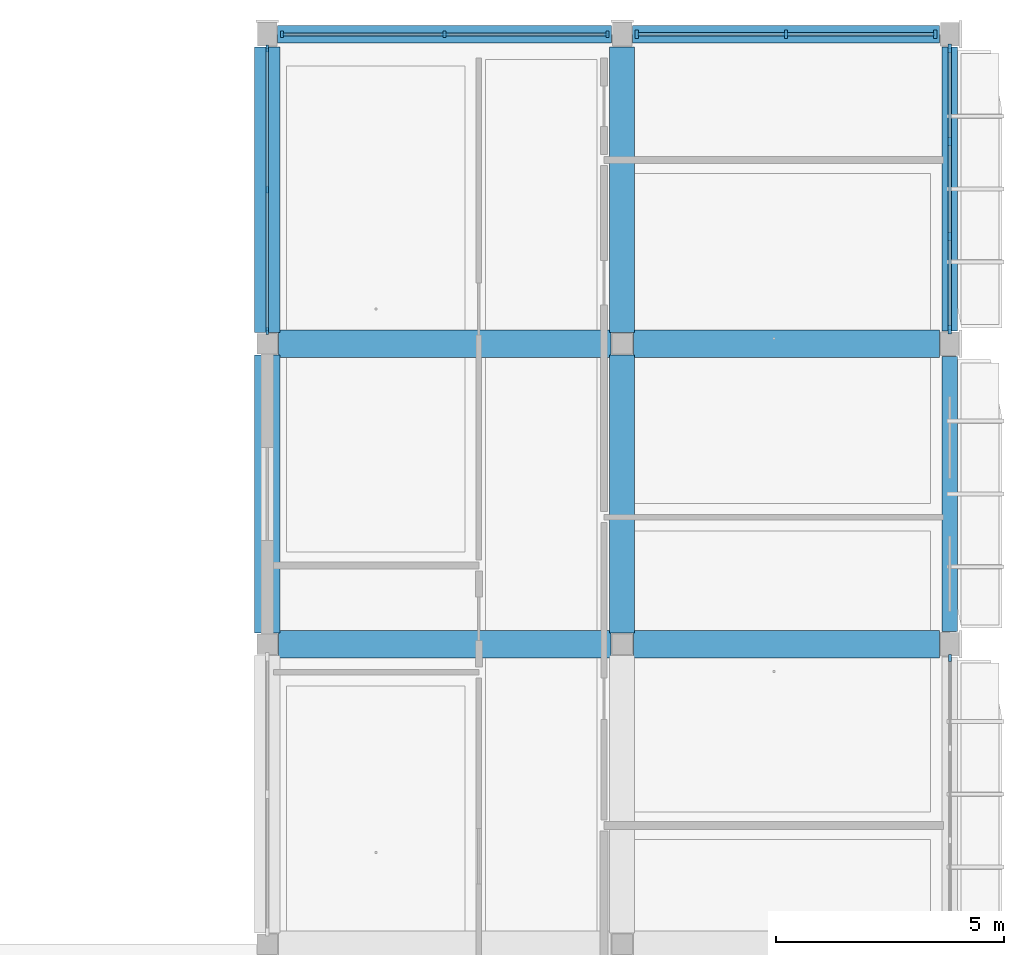
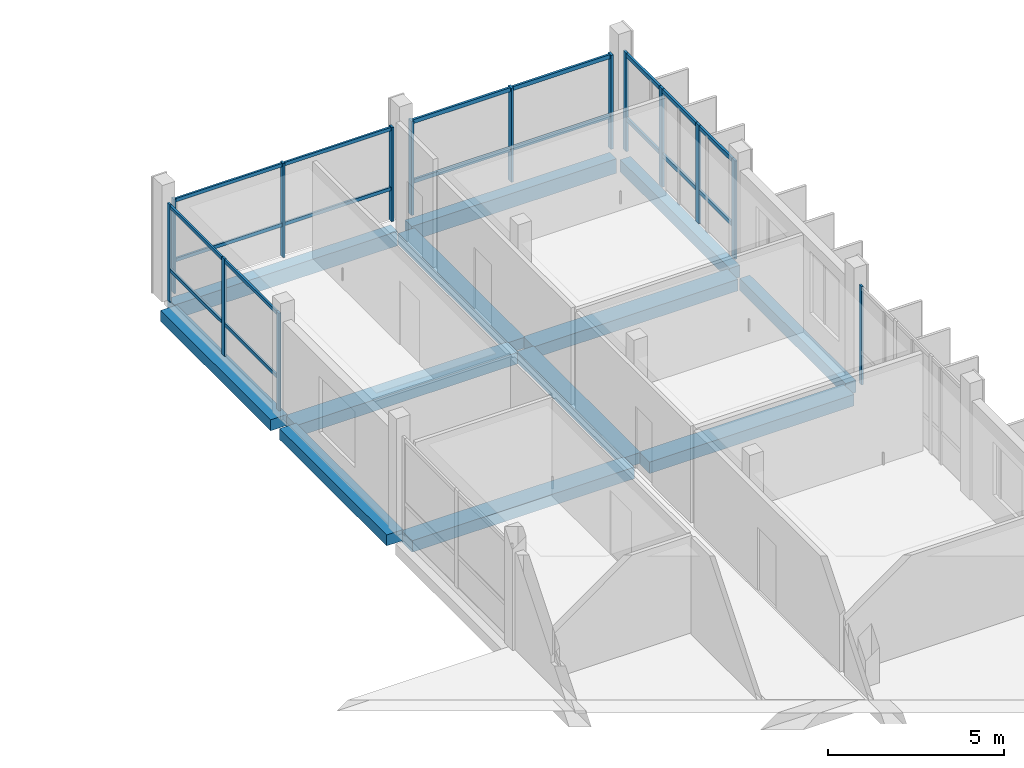
# One storey, part 38 of 86: 22 members, 12 beams, 5 elements without a shape of their own.
"""IFC4 building model written with IfcOpenShell, lengths in metres."""

from ifc_helpers import new_model, si_unit, derived_unit, direction, frame, origin, origin_2d, place, context, subcontext, project, spatial, rectangle, extrude, material, material_profile, profile_set, type_object, element, aggregate, save


model = new_model("IFC4")

# Units and contexts
model_context = context("Model", 3, precision=1e-05, world=origin(), true_north=direction((0.0, 1.0)))
body_context = subcontext(model_context, "Body", "Model", "MODEL_VIEW")
ifc_project = project(units=[si_unit("LENGTHUNIT", "METRE"), si_unit("AREAUNIT", "SQUARE_METRE"), si_unit("VOLUMEUNIT", "CUBIC_METRE"), si_unit("PLANEANGLEUNIT", "RADIAN"), si_unit("MASSUNIT", "GRAM", prefix="KILO"), derived_unit("THERMALTRANSMITTANCEUNIT", [(si_unit("POWERUNIT", "WATT"), 1), (si_unit("LENGTHUNIT", "METRE"), -2), (si_unit("THERMODYNAMICTEMPERATUREUNIT", "KELVIN"), -1)])], contexts=[model_context])

# Site, building, storey
site_placement = place(None, origin())
site = spatial("IfcSite", under=ifc_project, at=site_placement, CompositionType="ELEMENT")
building_placement = place(site_placement, origin())
building = spatial("IfcBuilding", under=site, at=building_placement, Name="Braskholm Square Health Centre", CompositionType="ELEMENT")
storey_placement = place(building_placement, frame((0.0, 0.0, 13.5)))
storey = spatial("IfcBuildingStorey", under=building, at=storey_placement, Name="L04", CompositionType="ELEMENT", Elevation=13.5)

# Curtain wall, member
ifc_material_1 = material(Name="Low-E triple insulating glass (VLT 0.64)", Category="glass")
curtain_wall_type = type_object("IfcCurtainWallType", Name="UnitisedCurtainWall6200x3650", PredefinedType="NOTDEFINED", material=ifc_material_1)
curtain_wall_1_placement = place(storey_placement, origin())
curtain_wall_1 = element("IfcCurtainWall", 1, at=curtain_wall_1_placement, inside=storey, type_object=curtain_wall_type, Name="East Outer unitised curtain wall CW-L04-0074", PredefinedType="NOTDEFINED")
ifc_material_2 = material(Name="Architectural bronze anodised aluminium", Category="aluminium")
ifc_material_profile_1 = material_profile(ifc_material_2, rectangle(XDim=0.06494140625, YDim=0.14990234375, at=origin_2d()), Name="ALU-65X150")
ifc_profile_set_1 = profile_set([ifc_material_profile_1], Name="Architectural bronze anodised aluminium")
member_type_1 = type_object("IfcMemberType", Name="CurtainWallMullion65x150", PredefinedType="MULLION", material=ifc_profile_set_1)
member_1_placement = place(storey_placement, frame((163.800048828125, 100.093505859375, 0.0), z_axis=(0.0, 0.0, 1.0), x_axis=(1.0, 0.0, 0.0)))
member_1 = element("IfcMember", 2, at=member_1_placement, type_object=member_type_1, Name="CW-L04-0074 vertical mullion 4", PredefinedType="MULLION", context=body_context, shape_type="SweptSolid", body=[
    extrude(rectangle(XDim=0.06494140625, YDim=0.14990234375, at=origin_2d()), origin(), (0.0, 0.0, 1.0), 3.419921875),
])
aggregate(curtain_wall_1, [member_1])

# Curtain wall, members
curtain_wall_2_placement = place(storey_placement, origin())
curtain_wall_2 = element("IfcCurtainWall", 3, at=curtain_wall_2_placement, inside=storey, type_object=curtain_wall_type, Name="East Valley unitised curtain wall CW-L04-0136", PredefinedType="NOTDEFINED")
member_2_placement = place(storey_placement, frame((148.800048828125, 113.4921875, 0.0), z_axis=(0.0, 0.0, 1.0), x_axis=(1.0, 0.0, 0.0)))
member_2 = element("IfcMember", 4, at=member_2_placement, type_object=member_type_1, Name="CW-L04-0136 vertical mullion 1", PredefinedType="MULLION", context=body_context, shape_type="SweptSolid", body=[
    extrude(rectangle(XDim=0.06494140625, YDim=0.14990234375, at=origin_2d()), origin(), (0.0, 0.0, 1.0), 3.389892578125),
])
member_3_placement = place(storey_placement, frame((148.800048828125, 110.385009765625, 0.0), z_axis=(0.0, 0.0, 1.0), x_axis=(1.0, 0.0, 0.0)))
member_3 = element("IfcMember", 5, at=member_3_placement, type_object=member_type_1, Name="CW-L04-0136 vertical mullion 2", PredefinedType="MULLION", context=body_context, shape_type="SweptSolid", body=[
    extrude(rectangle(XDim=0.06494140625, YDim=0.14990234375, at=origin_2d()), origin(), (0.0, 0.0, 1.0), 3.389892578125),
])
member_4_placement = place(storey_placement, frame((148.800048828125, 107.277587890625, 0.0), z_axis=(0.0, 0.0, 1.0), x_axis=(1.0, 0.0, 0.0)))
member_4 = element("IfcMember", 6, at=member_4_placement, type_object=member_type_1, Name="CW-L04-0136 vertical mullion 3", PredefinedType="MULLION", context=body_context, shape_type="SweptSolid", body=[
    extrude(rectangle(XDim=0.06494140625, YDim=0.14990234375, at=origin_2d()), origin(), (0.0, 0.0, 1.0), 3.389892578125),
])

curtain_wall_3_placement = place(storey_placement, origin())
curtain_wall_3 = element("IfcCurtainWall", 7, at=curtain_wall_3_placement, inside=storey, type_object=curtain_wall_type, Name="Wing End unitised curtain wall CW-L04-0168", PredefinedType="NOTDEFINED")
member_5_placement = place(storey_placement, frame((156.276611328125, 113.800048828125, 0.0), z_axis=(0.0, 0.0, 1.0), x_axis=(1.0, 0.0, 0.0)))
member_5 = element("IfcMember", 8, at=member_5_placement, type_object=member_type_1, Name="CW-L04-0168 vertical mullion 1", PredefinedType="MULLION", context=body_context, shape_type="SweptSolid", body=[
    extrude(rectangle(XDim=0.06494140625, YDim=0.14990234375, at=origin_2d()), origin(), (0.0, 0.0, 1.0), 3.27001953125),
])
member_6_placement = place(storey_placement, frame((152.699951171875, 113.800048828125, 0.0), z_axis=(0.0, 0.0, 1.0), x_axis=(1.0, 0.0, 0.0)))
member_6 = element("IfcMember", 9, at=member_6_placement, type_object=member_type_1, Name="CW-L04-0168 vertical mullion 2", PredefinedType="MULLION", context=body_context, shape_type="SweptSolid", body=[
    extrude(rectangle(XDim=0.06494140625, YDim=0.14990234375, at=origin_2d()), origin(), (0.0, 0.0, 1.0), 3.27001953125),
])
member_7_placement = place(storey_placement, frame((149.123291015625, 113.800048828125, 0.0), z_axis=(0.0, 0.0, 1.0), x_axis=(1.0, 0.0, 0.0)))
member_7 = element("IfcMember", 10, at=member_7_placement, type_object=member_type_1, Name="CW-L04-0168 vertical mullion 3", PredefinedType="MULLION", context=body_context, shape_type="SweptSolid", body=[
    extrude(rectangle(XDim=0.06494140625, YDim=0.14990234375, at=origin_2d()), origin(), (0.0, 0.0, 1.0), 3.27001953125),
])

curtain_wall_4_placement = place(storey_placement, origin())
curtain_wall_4 = element("IfcCurtainWall", 11, at=curtain_wall_4_placement, inside=storey, type_object=curtain_wall_type, Name="East Outer unitised curtain wall CW-L04-0075", PredefinedType="NOTDEFINED")
ifc_material_profile_2 = material_profile(ifc_material_2, rectangle(XDim=0.074951171875, YDim=0.179931640625, at=origin_2d()), Name="ALU-75X180")
ifc_profile_set_2 = profile_set([ifc_material_profile_2], Name="Architectural bronze anodised aluminium")
member_type_2 = type_object("IfcMemberType", Name="CurtainWallMullion75x180", PredefinedType="MULLION", material=ifc_profile_set_2)
member_8_placement = place(storey_placement, frame((163.800048828125, 107.3076171875, 0.0), z_axis=(0.0, 0.0, 1.0), x_axis=(1.0, 0.0, 0.0)))
member_8 = element("IfcMember", 12, at=member_8_placement, type_object=member_type_2, Name="CW-L04-0075 vertical mullion 1", PredefinedType="MULLION", context=body_context, shape_type="SweptSolid", body=[
    extrude(rectangle(XDim=0.074951171875, YDim=0.179931640625, at=origin_2d()), origin(), (0.0, 0.0, 1.0), 3.419921875),
])
member_9_placement = place(storey_placement, frame((163.800048828125, 109.356689453125, 0.0), z_axis=(0.0, 0.0, 1.0), x_axis=(1.0, 0.0, 0.0)))
member_9 = element("IfcMember", 13, at=member_9_placement, type_object=member_type_2, Name="CW-L04-0075 vertical mullion 2", PredefinedType="MULLION", context=body_context, shape_type="SweptSolid", body=[
    extrude(rectangle(XDim=0.074951171875, YDim=0.179931640625, at=origin_2d()), origin(), (0.0, 0.0, 1.0), 3.419921875),
])
member_10_placement = place(storey_placement, frame((163.800048828125, 111.443359375, 0.0), z_axis=(0.0, 0.0, 1.0), x_axis=(1.0, 0.0, 0.0)))
member_10 = element("IfcMember", 14, at=member_10_placement, type_object=member_type_2, Name="CW-L04-0075 vertical mullion 3", PredefinedType="MULLION", context=body_context, shape_type="SweptSolid", body=[
    extrude(rectangle(XDim=0.074951171875, YDim=0.179931640625, at=origin_2d()), origin(), (0.0, 0.0, 1.0), 3.419921875),
])
member_11_placement = place(storey_placement, frame((163.800048828125, 113.492431640625, 0.0), z_axis=(0.0, 0.0, 1.0), x_axis=(1.0, 0.0, 0.0)))
member_11 = element("IfcMember", 15, at=member_11_placement, type_object=member_type_2, Name="CW-L04-0075 vertical mullion 4", PredefinedType="MULLION", context=body_context, shape_type="SweptSolid", body=[
    extrude(rectangle(XDim=0.074951171875, YDim=0.179931640625, at=origin_2d()), origin(), (0.0, 0.0, 1.0), 3.419921875),
])

curtain_wall_5_placement = place(storey_placement, origin())
curtain_wall_5 = element("IfcCurtainWall", 16, at=curtain_wall_5_placement, inside=storey, type_object=curtain_wall_type, Name="Wing End unitised curtain wall CW-L04-0167", PredefinedType="NOTDEFINED")
member_12_placement = place(storey_placement, frame((163.480224609375, 113.800048828125, 0.0), z_axis=(0.0, 0.0, 1.0), x_axis=(1.0, 0.0, 0.0)))
member_12 = element("IfcMember", 17, at=member_12_placement, type_object=member_type_2, Name="CW-L04-0167 vertical mullion 1", PredefinedType="MULLION", context=body_context, shape_type="SweptSolid", body=[
    extrude(rectangle(XDim=0.074951171875, YDim=0.179931640625, at=origin_2d()), origin(), (0.0, 0.0, 1.0), 3.27001953125),
])
member_13_placement = place(storey_placement, frame((160.199951171875, 113.800048828125, 0.0), z_axis=(0.0, 0.0, 1.0), x_axis=(1.0, 0.0, 0.0)))
member_13 = element("IfcMember", 18, at=member_13_placement, type_object=member_type_2, Name="CW-L04-0167 vertical mullion 2", PredefinedType="MULLION", context=body_context, shape_type="SweptSolid", body=[
    extrude(rectangle(XDim=0.074951171875, YDim=0.179931640625, at=origin_2d()), origin(), (0.0, 0.0, 1.0), 3.27001953125),
])
member_14_placement = place(storey_placement, frame((156.919921875, 113.800048828125, 0.0), z_axis=(0.0, 0.0, 1.0), x_axis=(1.0, 0.0, 0.0)))
member_14 = element("IfcMember", 19, at=member_14_placement, type_object=member_type_2, Name="CW-L04-0167 vertical mullion 3", PredefinedType="MULLION", context=body_context, shape_type="SweptSolid", body=[
    extrude(rectangle(XDim=0.074951171875, YDim=0.179931640625, at=origin_2d()), origin(), (0.0, 0.0, 1.0), 3.27001953125),
])

# Member
ifc_material_profile_3 = material_profile(ifc_material_2, rectangle(XDim=0.06494140625, YDim=0.1201171875, at=origin_2d()), Name="ALU-65X120")
ifc_profile_set_3 = profile_set([ifc_material_profile_3], Name="Architectural bronze anodised aluminium")
member_type_3 = type_object("IfcMemberType", Name="CurtainWallTransom65x120", PredefinedType="USERDEFINED", material=ifc_profile_set_3)
member_15_placement = place(storey_placement, frame((148.800048828125, 113.485107421875, 1.1201171875), z_axis=(0.0, -1.0, 0.0), x_axis=(1.0, 0.0, 0.0)))
member_15 = element("IfcMember", 20, at=member_15_placement, type_object=member_type_3, Name="CW-L04-0136 horizontal transom 1", ObjectType="TRANSOM", PredefinedType="USERDEFINED", context=body_context, shape_type="SweptSolid", body=[
    extrude(rectangle(XDim=0.06494140625, YDim=0.1201171875, at=origin_2d()), origin(), (0.0, 0.0, 1.0), 6.2001953125),
])

member_16_placement = place(storey_placement, frame((148.800048828125, 113.485107421875, 3.320068359375), z_axis=(0.0, -1.0, 0.0), x_axis=(1.0, 0.0, 0.0)))
member_16 = element("IfcMember", 21, at=member_16_placement, type_object=member_type_3, Name="CW-L04-0136 horizontal transom 2", ObjectType="TRANSOM", PredefinedType="USERDEFINED", context=body_context, shape_type="SweptSolid", body=[
    extrude(rectangle(XDim=0.06494140625, YDim=0.1201171875, at=origin_2d()), origin(), (0.0, 0.0, 1.0), 6.2001953125),
])

aggregate(curtain_wall_2, [member_2, member_3, member_4, member_15, member_16])

member_17_placement = place(storey_placement, frame((156.27490234375, 113.800048828125, 1.1201171875), z_axis=(-1.0, 0.0, 0.0), x_axis=(0.0, -1.0, 0.0)))
member_17 = element("IfcMember", 22, at=member_17_placement, type_object=member_type_3, Name="CW-L04-0168 horizontal transom 1", ObjectType="TRANSOM", PredefinedType="USERDEFINED", context=body_context, shape_type="SweptSolid", body=[
    extrude(rectangle(XDim=0.06494140625, YDim=0.1201171875, at=origin_2d()), origin(), (0.0, 0.0, 1.0), 7.14990234375),
])

member_18_placement = place(storey_placement, frame((156.27490234375, 113.800048828125, 3.199951171875), z_axis=(-1.0, 0.0, 0.0), x_axis=(0.0, -1.0, 0.0)))
member_18 = element("IfcMember", 23, at=member_18_placement, type_object=member_type_3, Name="CW-L04-0168 horizontal transom 2", ObjectType="TRANSOM", PredefinedType="USERDEFINED", context=body_context, shape_type="SweptSolid", body=[
    extrude(rectangle(XDim=0.06494140625, YDim=0.1201171875, at=origin_2d()), origin(), (0.0, 0.0, 1.0), 7.14990234375),
])

aggregate(curtain_wall_3, [member_5, member_6, member_7, member_17, member_18])

ifc_material_profile_4 = material_profile(ifc_material_2, rectangle(XDim=0.074951171875, YDim=0.139892578125, at=origin_2d()), Name="ALU-75X140")
ifc_profile_set_4 = profile_set([ifc_material_profile_4], Name="Architectural bronze anodised aluminium")
member_type_4 = type_object("IfcMemberType", Name="CurtainWallTransom75x140", PredefinedType="USERDEFINED", material=ifc_profile_set_4)
member_19_placement = place(storey_placement, frame((163.800048828125, 107.31494140625, 1.1201171875), z_axis=(0.0, 1.0, 0.0), x_axis=(-1.0, 0.0, 0.0)))
member_19 = element("IfcMember", 24, at=member_19_placement, type_object=member_type_4, Name="CW-L04-0075 horizontal transom 1", ObjectType="TRANSOM", PredefinedType="USERDEFINED", context=body_context, shape_type="SweptSolid", body=[
    extrude(rectangle(XDim=0.074951171875, YDim=0.139892578125, at=origin_2d()), origin(), (0.0, 0.0, 1.0), 6.170166015625),
])

member_20_placement = place(storey_placement, frame((163.800048828125, 107.31494140625, 3.35009765625), z_axis=(0.0, 1.0, 0.0), x_axis=(-1.0, 0.0, 0.0)))
member_20 = element("IfcMember", 25, at=member_20_placement, type_object=member_type_4, Name="CW-L04-0075 horizontal transom 2", ObjectType="TRANSOM", PredefinedType="USERDEFINED", context=body_context, shape_type="SweptSolid", body=[
    extrude(rectangle(XDim=0.074951171875, YDim=0.139892578125, at=origin_2d()), origin(), (0.0, 0.0, 1.0), 6.170166015625),
])

aggregate(curtain_wall_4, [member_8, member_9, member_10, member_11, member_19, member_20])

member_21_placement = place(storey_placement, frame((163.47509765625, 113.800048828125, 1.1201171875), z_axis=(-1.0, 0.0, 0.0), x_axis=(0.0, -1.0, 0.0)))
member_21 = element("IfcMember", 26, at=member_21_placement, type_object=member_type_4, Name="CW-L04-0167 horizontal transom 1", ObjectType="TRANSOM", PredefinedType="USERDEFINED", context=body_context, shape_type="SweptSolid", body=[
    extrude(rectangle(XDim=0.074951171875, YDim=0.139892578125, at=origin_2d()), origin(), (0.0, 0.0, 1.0), 6.550048828125),
])

member_22_placement = place(storey_placement, frame((163.47509765625, 113.800048828125, 3.199951171875), z_axis=(-1.0, 0.0, 0.0), x_axis=(0.0, -1.0, 0.0)))
member_22 = element("IfcMember", 27, at=member_22_placement, type_object=member_type_4, Name="CW-L04-0167 horizontal transom 2", ObjectType="TRANSOM", PredefinedType="USERDEFINED", context=body_context, shape_type="SweptSolid", body=[
    extrude(rectangle(XDim=0.074951171875, YDim=0.139892578125, at=origin_2d()), origin(), (0.0, 0.0, 1.0), 6.550048828125),
])

aggregate(curtain_wall_5, [member_12, member_13, member_14, member_21, member_22])

# Beams
ifc_material_3 = material(Name="Concrete C35/45 (f'c = 35 MPa)", Category="concrete")
ifc_material_profile_5 = material_profile(ifc_material_3, rectangle(XDim=0.550048828125, YDim=0.3798828125, at=origin_2d()), Name="RCB-550X380")
ifc_profile_set_5 = profile_set([ifc_material_profile_5], Name="Concrete C35/45 (f'c = 35 MPa)")
beam_type_1 = type_object("IfcBeamType", Name="PrimaryBandBeam550x380", PredefinedType="BEAM", material=ifc_profile_set_5)
beam_1_placement = place(storey_placement, frame((148.800048828125, 100.64990234375, -0.43994140625), z_axis=(0.0, 1.0, 0.0), x_axis=(-1.0, 0.0, 0.0)))
element("IfcBeam", 28, at=beam_1_placement, inside=storey, type_object=beam_type_1, Name="Beam 20/Q-R L04", PredefinedType="BEAM", context=body_context, shape_type="SweptSolid", body=[
    extrude(rectangle(XDim=0.550048828125, YDim=0.3798828125, at=origin_2d()), origin(), (0.0, 0.0, 1.0), 6.10009765625),
])
beam_2_placement = place(storey_placement, frame((148.800048828125, 107.25, -0.43994140625), z_axis=(0.0, 1.0, 0.0), x_axis=(-1.0, 0.0, 0.0)))
element("IfcBeam", 29, at=beam_2_placement, inside=storey, type_object=beam_type_1, Name="Beam 20/R-S L04", PredefinedType="BEAM", context=body_context, shape_type="SweptSolid", body=[
    extrude(rectangle(XDim=0.550048828125, YDim=0.3798828125, at=origin_2d()), origin(), (0.0, 0.0, 1.0), 6.27001953125),
])
beam_3_placement = place(storey_placement, frame((156.60009765625, 100.64990234375, -0.489990234375), z_axis=(0.0, 1.0, 0.0), x_axis=(-1.0, 0.0, 0.0)))
element("IfcBeam", 30, at=beam_3_placement, inside=storey, type_object=beam_type_1, Name="Beam 21/Q-R L04", PredefinedType="BEAM", context=body_context, shape_type="SweptSolid", body=[
    extrude(rectangle(XDim=0.550048828125, YDim=0.3798828125, at=origin_2d()), origin(), (0.0, 0.0, 1.0), 6.10009765625),
])
beam_4_placement = place(storey_placement, frame((156.60009765625, 107.25, -0.489990234375), z_axis=(0.0, 1.0, 0.0), x_axis=(-1.0, 0.0, 0.0)))
element("IfcBeam", 31, at=beam_4_placement, inside=storey, type_object=beam_type_1, Name="Beam 21/R-S L04", PredefinedType="BEAM", context=body_context, shape_type="SweptSolid", body=[
    extrude(rectangle(XDim=0.550048828125, YDim=0.3798828125, at=origin_2d()), origin(), (0.0, 0.0, 1.0), 6.27001953125),
])
ifc_material_profile_6 = material_profile(ifc_material_3, rectangle(XDim=0.60009765625, YDim=0.39990234375, at=origin_2d()), Name="RCB-600X400")
ifc_profile_set_6 = profile_set([ifc_material_profile_6], Name="Concrete C35/45 (f'c = 35 MPa)")
beam_type_2 = type_object("IfcBeamType", Name="PrimaryBandBeam600x400", PredefinedType="BEAM", material=ifc_profile_set_6)
beam_5_placement = place(storey_placement, frame((149.050048828125, 100.39990234375, -0.5), z_axis=(1.0, 0.0, 0.0), x_axis=(0.0, 1.0, 0.0)))
element("IfcBeam", 32, at=beam_5_placement, inside=storey, type_object=beam_type_2, Name="Beam 20-21/Q L04", PredefinedType="BEAM", context=body_context, shape_type="SweptSolid", body=[
    extrude(rectangle(XDim=0.60009765625, YDim=0.39990234375, at=origin_2d()), origin(), (0.0, 0.0, 1.0), 7.300048828125),
])
beam_6_placement = place(storey_placement, frame((156.85009765625, 100.39990234375, -0.5), z_axis=(1.0, 0.0, 0.0), x_axis=(0.0, 1.0, 0.0)))
element("IfcBeam", 33, at=beam_6_placement, inside=storey, type_object=beam_type_2, Name="Beam 21-22/Q L04", PredefinedType="BEAM", context=body_context, shape_type="SweptSolid", body=[
    extrude(rectangle(XDim=0.60009765625, YDim=0.39990234375, at=origin_2d()), origin(), (0.0, 0.0, 1.0), 6.719970703125),
])
beam_7_placement = place(storey_placement, frame((149.050048828125, 107.0, -0.5), z_axis=(1.0, 0.0, 0.0), x_axis=(0.0, 1.0, 0.0)))
element("IfcBeam", 34, at=beam_7_placement, inside=storey, type_object=beam_type_2, Name="Beam 20-21/R L04", PredefinedType="BEAM", context=body_context, shape_type="SweptSolid", body=[
    extrude(rectangle(XDim=0.60009765625, YDim=0.39990234375, at=origin_2d()), origin(), (0.0, 0.0, 1.0), 7.300048828125),
])
beam_8_placement = place(storey_placement, frame((156.85009765625, 107.0, -0.5), z_axis=(1.0, 0.0, 0.0), x_axis=(0.0, 1.0, 0.0)))
element("IfcBeam", 35, at=beam_8_placement, inside=storey, type_object=beam_type_2, Name="Beam 21-22/R L04", PredefinedType="BEAM", context=body_context, shape_type="SweptSolid", body=[
    extrude(rectangle(XDim=0.60009765625, YDim=0.39990234375, at=origin_2d()), origin(), (0.0, 0.0, 1.0), 6.719970703125),
])
ifc_material_4 = material(Name="Precast concrete C40/50 architectural white", Category="concrete")
ifc_material_profile_7 = material_profile(ifc_material_4, rectangle(XDim=0.340087890625, YDim=0.419921875, at=origin_2d()), Name="RCB-340X420")
ifc_profile_set_7 = profile_set([ifc_material_profile_7], Name="Precast concrete C40/50 architectural white")
beam_type_3 = type_object("IfcBeamType", Name="SpandrelCrownEdge340x420", PredefinedType="SPANDREL", material=ifc_profile_set_7)
beam_9_placement = place(storey_placement, frame((163.800048828125, 100.679931640625, -0.510009765625), z_axis=(0.0, 1.0, 0.0), x_axis=(-1.0, 0.0, 0.0)))
element("IfcBeam", 36, at=beam_9_placement, inside=storey, type_object=beam_type_3, Name="Beam 22/Q-R L04", PredefinedType="SPANDREL", context=body_context, shape_type="SweptSolid", body=[
    extrude(rectangle(XDim=0.340087890625, YDim=0.419921875, at=origin_2d()), origin(), (0.0, 0.0, 1.0), 6.0400390625),
])
beam_10_placement = place(storey_placement, frame((163.800048828125, 107.280029296875, -0.510009765625), z_axis=(0.0, 1.0, 0.0), x_axis=(-1.0, 0.0, 0.0)))
element("IfcBeam", 37, at=beam_10_placement, inside=storey, type_object=beam_type_3, Name="Beam 22/R-S L04", PredefinedType="SPANDREL", context=body_context, shape_type="SweptSolid", body=[
    extrude(rectangle(XDim=0.340087890625, YDim=0.419921875, at=origin_2d()), origin(), (0.0, 0.0, 1.0), 6.239990234375),
])
ifc_material_profile_8 = material_profile(ifc_material_4, rectangle(XDim=0.3798828125, YDim=0.5, at=origin_2d()), Name="RCB-380X500")
ifc_profile_set_8 = profile_set([ifc_material_profile_8], Name="Precast concrete C40/50 architectural white")
beam_type_4 = type_object("IfcBeamType", Name="SpandrelPrecastEdge380x500", PredefinedType="SPANDREL", material=ifc_profile_set_8)
beam_11_placement = place(storey_placement, frame((149.030029296875, 113.800048828125, -0.550048828125), z_axis=(1.0, 0.0, 0.0), x_axis=(0.0, 1.0, 0.0)))
element("IfcBeam", 38, at=beam_11_placement, inside=storey, type_object=beam_type_4, Name="Beam 20-21/S L04", PredefinedType="SPANDREL", context=body_context, shape_type="SweptSolid", body=[
    extrude(rectangle(XDim=0.3798828125, YDim=0.5, at=origin_2d()), origin(), (0.0, 0.0, 1.0), 7.340087890625),
])
beam_12_placement = place(storey_placement, frame((156.830078125, 113.800048828125, -0.550048828125), z_axis=(1.0, 0.0, 0.0), x_axis=(0.0, 1.0, 0.0)))
element("IfcBeam", 39, at=beam_12_placement, inside=storey, type_object=beam_type_4, Name="Beam 21-22/S L04", PredefinedType="SPANDREL", context=body_context, shape_type="SweptSolid", body=[
    extrude(rectangle(XDim=0.3798828125, YDim=0.5, at=origin_2d()), origin(), (0.0, 0.0, 1.0), 6.739990234375),
])

save(model, "model.ifc")
